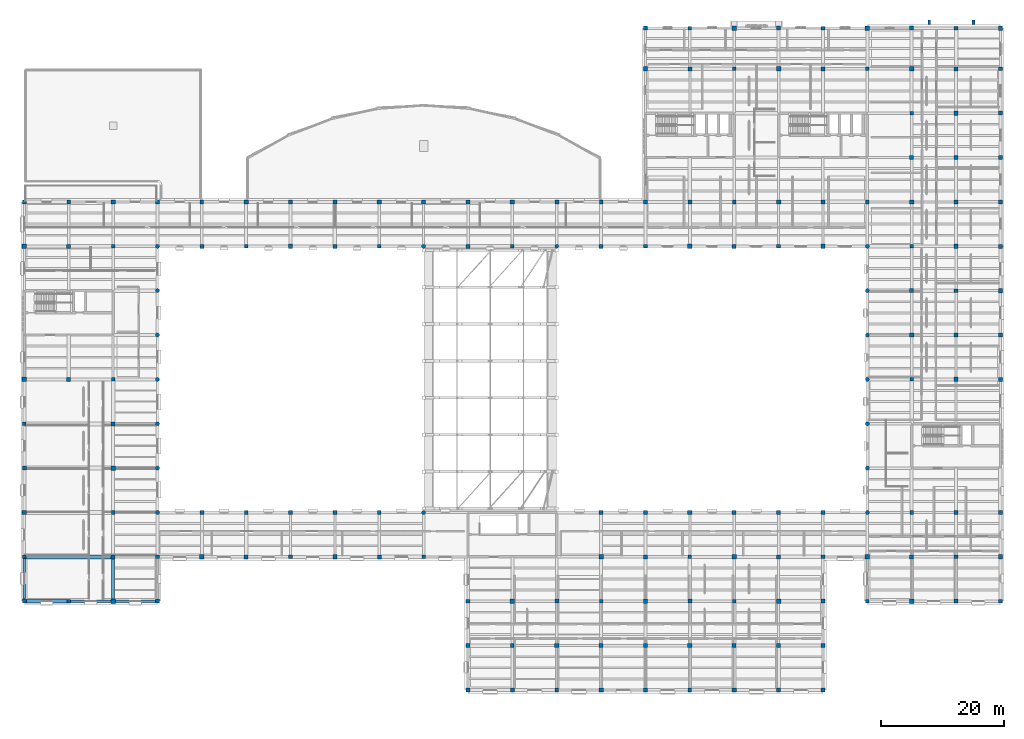
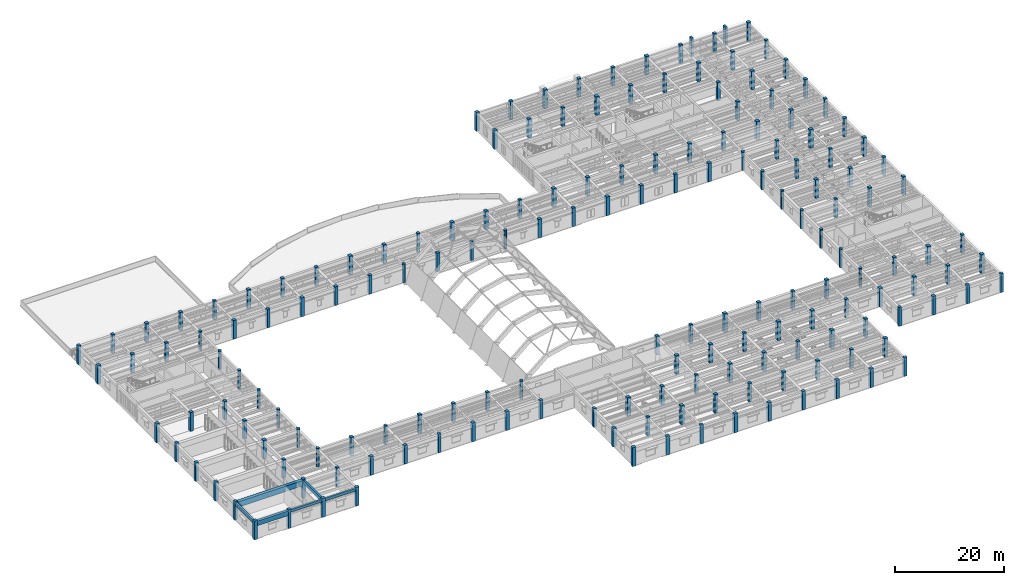
# One storey, part 1 of 66: 171 columns, 6 beams.
"""IFC4 building model written with IfcOpenShell, lengths in metres."""

from ifc_helpers import new_model, si_unit, direction, frame, origin, origin_2d, place, context, subcontext, project, spatial, rectangle, circle, extrude, material, material_profile, profile_set, type_object, element, save


model = new_model("IFC4")

# Units and contexts
model_context = context("Model", 3, precision=1e-05, world=origin(), true_north=direction((0.0, 1.0)))
body_context = subcontext(model_context, "Body", "Model", "MODEL_VIEW")
ifc_project = project(units=[si_unit("LENGTHUNIT", "METRE"), si_unit("AREAUNIT", "SQUARE_METRE"), si_unit("VOLUMEUNIT", "CUBIC_METRE"), si_unit("PLANEANGLEUNIT", "RADIAN"), si_unit("MASSUNIT", "GRAM", prefix="KILO")], contexts=[model_context])

# Site, building, storey
site_placement = place(None, origin())
site = spatial("IfcSite", under=ifc_project, at=site_placement, CompositionType="ELEMENT")
building_placement = place(site_placement, origin())
building = spatial("IfcBuilding", under=site, at=building_placement, Name="Mithqara Police Headquarters", CompositionType="ELEMENT")
storey_placement = place(building_placement, frame((0.0, 0.0, 9.60009765625)))
storey = spatial("IfcBuildingStorey", under=building, at=storey_placement, Name="L02", CompositionType="ELEMENT", Elevation=9.60009765625)

# Columns
ifc_material_1 = material(Name="Concrete C50/60", Category="concrete")
ifc_material_profile_1 = material_profile(ifc_material_1, rectangle(XDim=0.60009765625, YDim=0.60009765625, at=origin_2d()), Name="RC 600x600")
ifc_profile_set_1 = profile_set([ifc_material_profile_1], Name="Concrete C50/60")
column_type_1 = type_object("IfcColumnType", Name="COLUMN RC600", PredefinedType="COLUMN", material=ifc_profile_set_1)
for number, where, z_axis, x_axis, name in (
    (1, (7.800048828125, 28.199951171875, 0.0), (0.0, 0.0, 1.0), (1.0, 0.0, 0.0), "L02 Column 2/E"),
    (2, (7.800048828125, 49.800048828125, 0.0), (0.0, 0.0, 1.0), (1.0, 0.0, 0.0), "L02 Column 2/H"),
    (3, (15.0, 21.0, 0.0), (0.0, 0.0, 1.0), (1.0, 0.0, 0.0), "L02 Column 3/D"),
    (4, (15.0, 85.800048828125, 0.0), (0.0, 0.0, 1.0), (1.0, 0.0, 0.0), "L02 Column 3/N"),
    (5, (22.199951171875, 35.39990234375, 0.0), (0.0, 0.0, 1.0), (1.0, 0.0, 0.0), "L02 Column 4/F"),
    (6, (22.199951171875, 57.0, 0.0), (0.0, 0.0, 1.0), (1.0, 0.0, 0.0), "L02 Column 4/J"),
    (7, (22.199951171875, 78.60009765625, 0.0), (0.0, 0.0, 1.0), (1.0, 0.0, 0.0), "L02 Column 4/M"),
    (8, (29.39990234375, 28.199951171875, 0.0), (0.0, 0.0, 1.0), (1.0, 0.0, 0.0), "L02 Column 5/E"),
    (9, (36.60009765625, 85.800048828125, 0.0), (0.0, 0.0, 1.0), (1.0, 0.0, 0.0), "L02 Column 6/N"),
    (10, (43.800048828125, 35.39990234375, 0.0), (0.0, 0.0, 1.0), (1.0, 0.0, 0.0), "L02 Column 7/F"),
    (11, (43.800048828125, 78.60009765625, 0.0), (0.0, 0.0, 1.0), (1.0, 0.0, 0.0), "L02 Column 7/M"),
    (12, (51.0, 28.199951171875, 0.0), (0.0, 0.0, 1.0), (1.0, 0.0, 0.0), "L02 Column 8/E"),
    (13, (58.199951171875, 85.800048828125, 0.0), (0.0, 0.0, 1.0), (1.0, 0.0, 0.0), "L02 Column 9/N"),
    (14, (65.39990234375, 35.39990234375, 0.0), (0.0, 0.0, 1.0), (1.0, 0.0, 0.0), "L02 Column 10/F"),
    (15, (65.39990234375, 78.60009765625, 0.0), (0.0, 0.0, 1.0), (1.0, 0.0, 0.0), "L02 Column 10/M"),
    (16, (72.60009765625, 28.199951171875, 0.0), (0.0, 0.0, 1.0), (1.0, 0.0, 0.0), "L02 Column 11/E"),
    (17, (79.800048828125, 21.0, 0.0), (0.0, 0.0, 1.0), (1.0, 0.0, 0.0), "L02 Column 12/D"),
    (18, (79.800048828125, 85.800048828125, 0.0), (0.0, 0.0, 1.0), (1.0, 0.0, 0.0), "L02 Column 12/N"),
    (19, (87.0, 13.800048828125, 0.0), (0.0, 0.0, 1.0), (1.0, 0.0, 0.0), "L02 Column 13/C"),
    (20, (87.0, 78.60009765625, 0.0), (0.0, 0.0, 1.0), (1.0, 0.0, 0.0), "L02 Column 13/M"),
    (21, (94.199951171875, 6.60009765625, 0.0), (0.0, 0.0, 1.0), (1.0, 0.0, 0.0), "L02 Column 14/B"),
    (22, (101.39990234375, 21.0, 0.0), (0.0, 0.0, 1.0), (1.0, 0.0, 0.0), "L02 Column 15/D"),
    (23, (101.39990234375, 85.800048828125, 0.0), (0.0, 0.0, 1.0), (1.0, 0.0, 0.0), "L02 Column 15/N"),
    (24, (108.60009765625, 13.800048828125, 0.0), (0.0, 0.0, 1.0), (1.0, 0.0, 0.0), "L02 Column 16/C"),
    (25, (108.60009765625, 35.39990234375, 0.0), (0.0, 0.0, 1.0), (1.0, 0.0, 0.0), "L02 Column 16/F"),
    (26, (108.60009765625, 78.60009765625, 0.0), (0.0, 0.0, 1.0), (1.0, 0.0, 0.0), "L02 Column 16/M"),
    (27, (115.800048828125, 6.60009765625, 0.0), (0.0, 0.0, 1.0), (1.0, 0.0, 0.0), "L02 Column 17/B"),
    (28, (115.800048828125, 28.199951171875, 0.0), (0.0, 0.0, 1.0), (1.0, 0.0, 0.0), "L02 Column 17/E"),
    (29, (115.800048828125, 114.0, 0.0), (0.0, 0.0, 1.0), (1.0, 0.0, 0.0), "L02 Column 17/S"),
    (30, (123.0, 21.0, 0.0), (0.0, 0.0, 1.0), (1.0, 0.0, 0.0), "L02 Column 18/D"),
    (31, (123.0, 85.800048828125, 0.0), (0.0, 0.0, 1.0), (1.0, 0.0, 0.0), "L02 Column 18/N"),
    (32, (123.0, 107.39990234375, 0.0), (0.0, 0.0, 1.0), (1.0, 0.0, 0.0), "L02 Column 18/R"),
    (33, (130.199951171875, 13.800048828125, 0.0), (0.0, 0.0, 1.0), (1.0, 0.0, 0.0), "L02 Column 19/C"),
    (34, (130.199951171875, 35.39990234375, 0.0), (0.0, 0.0, 1.0), (1.0, 0.0, 0.0), "L02 Column 19/F"),
    (35, (130.199951171875, 78.60009765625, 0.0), (0.0, 0.0, 1.0), (1.0, 0.0, 0.0), "L02 Column 19/M"),
    (36, (137.39990234375, 6.60009765625, 0.0), (0.0, 0.0, 1.0), (1.0, 0.0, 0.0), "L02 Column 20/B"),
    (37, (137.39990234375, 28.199951171875, 0.0), (0.0, 0.0, 1.0), (1.0, 0.0, 0.0), "L02 Column 20/E"),
    (38, (137.39990234375, 114.0, 0.0), (0.0, 0.0, 1.0), (1.0, 0.0, 0.0), "L02 Column 20/S"),
    (39, (144.60009765625, 21.0, 0.0), (0.0, 0.0, 1.0), (1.0, 0.0, 0.0), "L02 Column 21/D"),
    (40, (144.60009765625, 85.800048828125, 0.0), (0.0, 0.0, 1.0), (1.0, 0.0, 0.0), "L02 Column 21/N"),
    (41, (144.60009765625, 107.39990234375, 0.0), (0.0, 0.0, 1.0), (1.0, 0.0, 0.0), "L02 Column 21/R"),
    (42, (151.800048828125, 35.39990234375, 0.0), (0.0, 0.0, 1.0), (1.0, 0.0, 0.0), "L02 Column 22/F"),
    (43, (151.800048828125, 57.0, 0.0), (0.0, 0.0, 1.0), (1.0, 0.0, 0.0), "L02 Column 22/J"),
    (44, (151.800048828125, 78.60009765625, 0.0), (0.0, 0.0, 1.0), (1.0, 0.0, 0.0), "L02 Column 22/M"),
    (45, (151.800048828125, 100.199951171875, 0.0), (0.0, 0.0, 1.0), (1.0, 0.0, 0.0), "L02 Column 22/Q"),
    (46, (159.0, 28.199951171875, 0.0), (0.0, 0.0, 1.0), (1.0, 0.0, 0.0), "L02 Column 23/E"),
    (47, (159.0, 71.39990234375, 0.0), (0.0, 0.0, 1.0), (1.0, 0.0, 0.0), "L02 Column 23/L"),
    (48, (159.0, 93.0, 0.0), (0.0, 0.0, 1.0), (1.0, 0.0, 0.0), "L02 Column 23/P"),
    (49, (159.0, 114.0, 0.0), (0.0, 0.0, 1.0), (1.0, 0.0, 0.0), "L02 Column 23/S"),
    (50, (166.199951171875, 21.0, 0.0), (0.0, 0.0, 1.0), (1.0, 0.0, 0.0), "L02 Column 24/D"),
    (51, (166.199951171875, 64.199951171875, 0.0), (0.0, 0.0, 1.0), (1.0, 0.0, 0.0), "L02 Column 24/K"),
    (52, (166.199951171875, 85.800048828125, 0.0), (0.0, 0.0, 1.0), (1.0, 0.0, 0.0), "L02 Column 24/N"),
    (53, (166.199951171875, 107.39990234375, 0.0), (0.0, 0.0, 1.0), (1.0, 0.0, 0.0), "L02 Column 24/R"),
):
    element("IfcColumn", number, at=place(storey_placement, frame(where, z_axis=z_axis, x_axis=x_axis)), inside=storey, type_object=column_type_1, Name=name, PredefinedType="COLUMN", context=body_context, shape_type="SweptSolid", body=[
        extrude(rectangle(XDim=0.60009765625, YDim=0.60009765625, at=origin_2d()), origin(), (0.0, 0.0, 1.0), 4.199951171875),
    ])
ifc_material_profile_2 = material_profile(ifc_material_1, rectangle(XDim=0.64990234375, YDim=0.64990234375, at=origin_2d()), Name="RC 650x650")
ifc_profile_set_2 = profile_set([ifc_material_profile_2], Name="Concrete C50/60")
column_type_2 = type_object("IfcColumnType", Name="COLUMN RC650", PredefinedType="COLUMN", material=ifc_profile_set_2)
for number, where, z_axis, x_axis, name in (
    (54, (7.800048828125, 21.0, 0.0), (0.0, 0.0, 1.0), (1.0, 0.0, 0.0), "L02 Column 2/D"),
    (55, (7.800048828125, 42.60009765625, 0.0), (0.0, 0.0, 1.0), (1.0, 0.0, 0.0), "L02 Column 2/G"),
    (56, (7.800048828125, 85.800048828125, 0.0), (0.0, 0.0, 1.0), (1.0, 0.0, 0.0), "L02 Column 2/N"),
    (57, (15.0, 57.0, 0.0), (0.0, 0.0, 1.0), (1.0, 0.0, 0.0), "L02 Column 3/J"),
    (58, (15.0, 78.60009765625, 0.0), (0.0, 0.0, 1.0), (1.0, 0.0, 0.0), "L02 Column 3/M"),
    (59, (22.199951171875, 28.199951171875, 0.0), (0.0, 0.0, 1.0), (1.0, 0.0, 0.0), "L02 Column 4/E"),
    (60, (22.199951171875, 49.800048828125, 0.0), (0.0, 0.0, 1.0), (1.0, 0.0, 0.0), "L02 Column 4/H"),
    (61, (29.39990234375, 21.0, 0.0), (0.0, 0.0, 1.0), (1.0, 0.0, 0.0), "L02 Column 5/D"),
    (62, (29.39990234375, 85.800048828125, 0.0), (0.0, 0.0, 1.0), (1.0, 0.0, 0.0), "L02 Column 5/N"),
    (63, (36.60009765625, 35.39990234375, 0.0), (0.0, 0.0, 1.0), (1.0, 0.0, 0.0), "L02 Column 6/F"),
    (64, (36.60009765625, 78.60009765625, 0.0), (0.0, 0.0, 1.0), (1.0, 0.0, 0.0), "L02 Column 6/M"),
    (65, (43.800048828125, 28.199951171875, 0.0), (0.0, 0.0, 1.0), (1.0, 0.0, 0.0), "L02 Column 7/E"),
    (66, (51.0, 85.800048828125, 0.0), (0.0, 0.0, 1.0), (1.0, 0.0, 0.0), "L02 Column 8/N"),
    (67, (58.199951171875, 35.39990234375, 0.0), (0.0, 0.0, 1.0), (1.0, 0.0, 0.0), "L02 Column 9/F"),
    (68, (58.199951171875, 78.60009765625, 0.0), (0.0, 0.0, 1.0), (1.0, 0.0, 0.0), "L02 Column 9/M"),
    (69, (65.39990234375, 28.199951171875, 0.0), (0.0, 0.0, 1.0), (1.0, 0.0, 0.0), "L02 Column 10/E"),
    (70, (72.60009765625, 85.800048828125, 0.0), (0.0, 0.0, 1.0), (1.0, 0.0, 0.0), "L02 Column 11/N"),
    (71, (79.800048828125, 13.800048828125, 0.0), (0.0, 0.0, 1.0), (1.0, 0.0, 0.0), "L02 Column 12/C"),
    (72, (79.800048828125, 78.60009765625, 0.0), (0.0, 0.0, 1.0), (1.0, 0.0, 0.0), "L02 Column 12/M"),
    (73, (87.0, 6.60009765625, 0.0), (0.0, 0.0, 1.0), (1.0, 0.0, 0.0), "L02 Column 13/B"),
    (74, (94.199951171875, 21.0, 0.0), (0.0, 0.0, 1.0), (1.0, 0.0, 0.0), "L02 Column 14/D"),
    (75, (94.199951171875, 85.800048828125, 0.0), (0.0, 0.0, 1.0), (1.0, 0.0, 0.0), "L02 Column 14/N"),
    (76, (101.39990234375, 13.800048828125, 0.0), (0.0, 0.0, 1.0), (1.0, 0.0, 0.0), "L02 Column 15/C"),
    (77, (101.39990234375, 35.39990234375, 0.0), (0.0, 0.0, 1.0), (1.0, 0.0, 0.0), "L02 Column 15/F"),
    (78, (101.39990234375, 78.60009765625, 0.0), (0.0, 0.0, 1.0), (1.0, 0.0, 0.0), "L02 Column 15/M"),
    (79, (108.60009765625, 6.60009765625, 0.0), (0.0, 0.0, 1.0), (1.0, 0.0, 0.0), "L02 Column 16/B"),
    (80, (108.60009765625, 28.199951171875, 0.0), (0.0, 0.0, 1.0), (1.0, 0.0, 0.0), "L02 Column 16/E"),
    (81, (108.60009765625, 114.0, 0.0), (0.0, 0.0, 1.0), (1.0, 0.0, 0.0), "L02 Column 16/S"),
    (82, (115.800048828125, 21.0, 0.0), (0.0, 0.0, 1.0), (1.0, 0.0, 0.0), "L02 Column 17/D"),
    (83, (115.800048828125, 85.800048828125, 0.0), (0.0, 0.0, 1.0), (1.0, 0.0, 0.0), "L02 Column 17/N"),
    (84, (115.800048828125, 107.39990234375, 0.0), (0.0, 0.0, 1.0), (1.0, 0.0, 0.0), "L02 Column 17/R"),
    (85, (123.0, 13.800048828125, 0.0), (0.0, 0.0, 1.0), (1.0, 0.0, 0.0), "L02 Column 18/C"),
    (86, (123.0, 35.39990234375, 0.0), (0.0, 0.0, 1.0), (1.0, 0.0, 0.0), "L02 Column 18/F"),
    (87, (123.0, 78.60009765625, 0.0), (0.0, 0.0, 1.0), (1.0, 0.0, 0.0), "L02 Column 18/M"),
    (88, (130.199951171875, 6.60009765625, 0.0), (0.0, 0.0, 1.0), (1.0, 0.0, 0.0), "L02 Column 19/B"),
    (89, (130.199951171875, 28.199951171875, 0.0), (0.0, 0.0, 1.0), (1.0, 0.0, 0.0), "L02 Column 19/E"),
    (90, (130.199951171875, 114.0, 0.0), (0.0, 0.0, 1.0), (1.0, 0.0, 0.0), "L02 Column 19/S"),
    (91, (137.39990234375, 21.0, 0.0), (0.0, 0.0, 1.0), (1.0, 0.0, 0.0), "L02 Column 20/D"),
    (92, (137.39990234375, 85.800048828125, 0.0), (0.0, 0.0, 1.0), (1.0, 0.0, 0.0), "L02 Column 20/N"),
    (93, (137.39990234375, 107.39990234375, 0.0), (0.0, 0.0, 1.0), (1.0, 0.0, 0.0), "L02 Column 20/R"),
    (94, (151.800048828125, 28.199951171875, 0.0), (0.0, 0.0, 1.0), (1.0, 0.0, 0.0), "L02 Column 22/E"),
    (95, (151.800048828125, 71.39990234375, 0.0), (0.0, 0.0, 1.0), (1.0, 0.0, 0.0), "L02 Column 22/L"),
    (96, (151.800048828125, 93.0, 0.0), (0.0, 0.0, 1.0), (1.0, 0.0, 0.0), "L02 Column 22/P"),
    (97, (151.800048828125, 114.0, 0.0), (0.0, 0.0, 1.0), (1.0, 0.0, 0.0), "L02 Column 22/S"),
    (98, (159.0, 21.0, 0.0), (0.0, 0.0, 1.0), (1.0, 0.0, 0.0), "L02 Column 23/D"),
    (99, (159.0, 64.199951171875, 0.0), (0.0, 0.0, 1.0), (1.0, 0.0, 0.0), "L02 Column 23/K"),
    (100, (159.0, 85.800048828125, 0.0), (0.0, 0.0, 1.0), (1.0, 0.0, 0.0), "L02 Column 23/N"),
    (101, (159.0, 107.39990234375, 0.0), (0.0, 0.0, 1.0), (1.0, 0.0, 0.0), "L02 Column 23/R"),
    (102, (166.199951171875, 35.39990234375, 0.0), (0.0, 0.0, 1.0), (1.0, 0.0, 0.0), "L02 Column 24/F"),
    (103, (166.199951171875, 57.0, 0.0), (0.0, 0.0, 1.0), (1.0, 0.0, 0.0), "L02 Column 24/J"),
    (104, (166.199951171875, 78.60009765625, 0.0), (0.0, 0.0, 1.0), (1.0, 0.0, 0.0), "L02 Column 24/M"),
    (105, (166.199951171875, 100.199951171875, 0.0), (0.0, 0.0, 1.0), (1.0, 0.0, 0.0), "L02 Column 24/Q"),
):
    element("IfcColumn", number, at=place(storey_placement, frame(where, z_axis=z_axis, x_axis=x_axis)), inside=storey, type_object=column_type_2, Name=name, PredefinedType="COLUMN", context=body_context, shape_type="SweptSolid", body=[
        extrude(rectangle(XDim=0.64990234375, YDim=0.64990234375, at=origin_2d()), origin(), (0.0, 0.0, 1.0), 4.199951171875),
    ])
ifc_material_profile_3 = material_profile(ifc_material_1, rectangle(XDim=0.699951171875, YDim=0.699951171875, at=origin_2d()), Name="RC 700x700")
ifc_profile_set_3 = profile_set([ifc_material_profile_3], Name="Concrete C50/60")
column_type_3 = type_object("IfcColumnType", Name="COLUMN RC700", PredefinedType="COLUMN", material=ifc_profile_set_3)
for number, where, z_axis, x_axis, name in (
    (106, (7.800048828125, 35.39990234375, 0.0), (0.0, 0.0, 1.0), (1.0, 0.0, 0.0), "L02 Column 2/F"),
    (107, (7.800048828125, 57.0, 0.0), (0.0, 0.0, 1.0), (1.0, 0.0, 0.0), "L02 Column 2/J"),
    (108, (7.800048828125, 78.60009765625, 0.0), (0.0, 0.0, 1.0), (1.0, 0.0, 0.0), "L02 Column 2/M"),
    (109, (22.199951171875, 21.0, 0.0), (0.0, 0.0, 1.0), (1.0, 0.0, 0.0), "L02 Column 4/D"),
    (110, (22.199951171875, 42.60009765625, 0.0), (0.0, 0.0, 1.0), (1.0, 0.0, 0.0), "L02 Column 4/G"),
    (111, (22.199951171875, 85.800048828125, 0.0), (0.0, 0.0, 1.0), (1.0, 0.0, 0.0), "L02 Column 4/N"),
    (112, (36.60009765625, 28.199951171875, 0.0), (0.0, 0.0, 1.0), (1.0, 0.0, 0.0), "L02 Column 6/E"),
    (113, (43.800048828125, 85.800048828125, 0.0), (0.0, 0.0, 1.0), (1.0, 0.0, 0.0), "L02 Column 7/N"),
    (114, (51.0, 35.39990234375, 0.0), (0.0, 0.0, 1.0), (1.0, 0.0, 0.0), "L02 Column 8/F"),
    (115, (51.0, 78.60009765625, 0.0), (0.0, 0.0, 1.0), (1.0, 0.0, 0.0), "L02 Column 8/M"),
    (116, (58.199951171875, 28.199951171875, 0.0), (0.0, 0.0, 1.0), (1.0, 0.0, 0.0), "L02 Column 9/E"),
    (117, (65.39990234375, 85.800048828125, 0.0), (0.0, 0.0, 1.0), (1.0, 0.0, 0.0), "L02 Column 10/N"),
    (118, (79.800048828125, 6.60009765625, 0.0), (0.0, 0.0, 1.0), (1.0, 0.0, 0.0), "L02 Column 12/B"),
    (119, (87.0, 21.0, 0.0), (0.0, 0.0, 1.0), (1.0, 0.0, 0.0), "L02 Column 13/D"),
    (120, (87.0, 85.800048828125, 0.0), (0.0, 0.0, 1.0), (1.0, 0.0, 0.0), "L02 Column 13/N"),
    (121, (94.199951171875, 13.800048828125, 0.0), (0.0, 0.0, 1.0), (1.0, 0.0, 0.0), "L02 Column 14/C"),
    (122, (101.39990234375, 6.60009765625, 0.0), (0.0, 0.0, 1.0), (1.0, 0.0, 0.0), "L02 Column 15/B"),
    (123, (101.39990234375, 28.199951171875, 0.0), (0.0, 0.0, 1.0), (1.0, 0.0, 0.0), "L02 Column 15/E"),
    (124, (108.60009765625, 21.0, 0.0), (0.0, 0.0, 1.0), (1.0, 0.0, 0.0), "L02 Column 16/D"),
    (125, (108.60009765625, 85.800048828125, 0.0), (0.0, 0.0, 1.0), (1.0, 0.0, 0.0), "L02 Column 16/N"),
    (126, (108.60009765625, 107.39990234375, 0.0), (0.0, 0.0, 1.0), (1.0, 0.0, 0.0), "L02 Column 16/R"),
    (127, (115.800048828125, 13.800048828125, 0.0), (0.0, 0.0, 1.0), (1.0, 0.0, 0.0), "L02 Column 17/C"),
    (128, (115.800048828125, 35.39990234375, 0.0), (0.0, 0.0, 1.0), (1.0, 0.0, 0.0), "L02 Column 17/F"),
    (129, (115.800048828125, 78.60009765625, 0.0), (0.0, 0.0, 1.0), (1.0, 0.0, 0.0), "L02 Column 17/M"),
    (130, (123.0, 6.60009765625, 0.0), (0.0, 0.0, 1.0), (1.0, 0.0, 0.0), "L02 Column 18/B"),
    (131, (123.0, 28.199951171875, 0.0), (0.0, 0.0, 1.0), (1.0, 0.0, 0.0), "L02 Column 18/E"),
    (132, (123.0, 114.0, 0.0), (0.0, 0.0, 1.0), (1.0, 0.0, 0.0), "L02 Column 18/S"),
    (133, (130.199951171875, 21.0, 0.0), (0.0, 0.0, 1.0), (1.0, 0.0, 0.0), "L02 Column 19/D"),
    (134, (130.199951171875, 85.800048828125, 0.0), (0.0, 0.0, 1.0), (1.0, 0.0, 0.0), "L02 Column 19/N"),
    (135, (130.199951171875, 107.39990234375, 0.0), (0.0, 0.0, 1.0), (1.0, 0.0, 0.0), "L02 Column 19/R"),
    (136, (137.39990234375, 13.800048828125, 0.0), (0.0, 0.0, 1.0), (1.0, 0.0, 0.0), "L02 Column 20/C"),
    (137, (137.39990234375, 35.39990234375, 0.0), (0.0, 0.0, 1.0), (1.0, 0.0, 0.0), "L02 Column 20/F"),
    (138, (137.39990234375, 78.60009765625, 0.0), (0.0, 0.0, 1.0), (1.0, 0.0, 0.0), "L02 Column 20/M"),
    (139, (144.60009765625, 28.199951171875, 0.0), (0.0, 0.0, 1.0), (1.0, 0.0, 0.0), "L02 Column 21/E"),
    (140, (144.60009765625, 114.0, 0.0), (0.0, 0.0, 1.0), (1.0, 0.0, 0.0), "L02 Column 21/S"),
    (141, (151.800048828125, 21.0, 0.0), (0.0, 0.0, 1.0), (1.0, 0.0, 0.0), "L02 Column 22/D"),
    (142, (151.800048828125, 64.199951171875, 0.0), (0.0, 0.0, 1.0), (1.0, 0.0, 0.0), "L02 Column 22/K"),
    (143, (151.800048828125, 85.800048828125, 0.0), (0.0, 0.0, 1.0), (1.0, 0.0, 0.0), "L02 Column 22/N"),
    (144, (151.800048828125, 107.39990234375, 0.0), (0.0, 0.0, 1.0), (1.0, 0.0, 0.0), "L02 Column 22/R"),
    (145, (159.0, 35.39990234375, 0.0), (0.0, 0.0, 1.0), (1.0, 0.0, 0.0), "L02 Column 23/F"),
    (146, (159.0, 57.0, 0.0), (0.0, 0.0, 1.0), (1.0, 0.0, 0.0), "L02 Column 23/J"),
    (147, (159.0, 78.60009765625, 0.0), (0.0, 0.0, 1.0), (1.0, 0.0, 0.0), "L02 Column 23/M"),
    (148, (159.0, 100.199951171875, 0.0), (0.0, 0.0, 1.0), (1.0, 0.0, 0.0), "L02 Column 23/Q"),
    (149, (166.199951171875, 28.199951171875, 0.0), (0.0, 0.0, 1.0), (1.0, 0.0, 0.0), "L02 Column 24/E"),
    (150, (166.199951171875, 71.39990234375, 0.0), (0.0, 0.0, 1.0), (1.0, 0.0, 0.0), "L02 Column 24/L"),
    (151, (166.199951171875, 93.0, 0.0), (0.0, 0.0, 1.0), (1.0, 0.0, 0.0), "L02 Column 24/P"),
    (152, (166.199951171875, 114.0, 0.0), (0.0, 0.0, 1.0), (1.0, 0.0, 0.0), "L02 Column 24/S"),
):
    element("IfcColumn", number, at=place(storey_placement, frame(where, z_axis=z_axis, x_axis=x_axis)), inside=storey, type_object=column_type_3, Name=name, PredefinedType="COLUMN", context=body_context, shape_type="SweptSolid", body=[
        extrude(rectangle(XDim=0.699951171875, YDim=0.699951171875, at=origin_2d()), origin(), (0.0, 0.0, 1.0), 4.199951171875),
    ])
ifc_material_profile_4 = material_profile(ifc_material_1, circle(Radius=0.324951171875, at=origin_2d()), Name="RCD 650")
ifc_profile_set_4 = profile_set([ifc_material_profile_4], Name="Concrete C50/60")
column_type_4 = type_object("IfcColumnType", Name="COLUMN RCD650", PredefinedType="COLUMN", material=ifc_profile_set_4)
for number, where, z_axis, x_axis, name in (
    (153, (29.39990234375, 35.39990234375, 0.0), (0.0, 0.0, 1.0), (1.0, 0.0, 0.0), "L02 Column 5/F"),
    (154, (29.39990234375, 42.60009765625, 0.0), (0.0, 0.0, 1.0), (1.0, 0.0, 0.0), "L02 Column 5/G"),
    (155, (29.39990234375, 49.800048828125, 0.0), (0.0, 0.0, 1.0), (1.0, 0.0, 0.0), "L02 Column 5/H"),
    (156, (29.39990234375, 57.0, 0.0), (0.0, 0.0, 1.0), (1.0, 0.0, 0.0), "L02 Column 5/J"),
    (157, (29.39990234375, 64.199951171875, 0.0), (0.0, 0.0, 1.0), (1.0, 0.0, 0.0), "L02 Column 5/K"),
    (158, (29.39990234375, 71.39990234375, 0.0), (0.0, 0.0, 1.0), (1.0, 0.0, 0.0), "L02 Column 5/L"),
    (159, (29.39990234375, 78.60009765625, 0.0), (0.0, 0.0, 1.0), (1.0, 0.0, 0.0), "L02 Column 5/M"),
    (160, (72.60009765625, 35.39990234375, 0.0), (0.0, 0.0, 1.0), (1.0, 0.0, 0.0), "L02 Column 11/F"),
    (161, (72.60009765625, 78.60009765625, 0.0), (0.0, 0.0, 1.0), (1.0, 0.0, 0.0), "L02 Column 11/M"),
    (162, (94.199951171875, 78.60009765625, 0.0), (0.0, 0.0, 1.0), (1.0, 0.0, 0.0), "L02 Column 14/M"),
    (163, (144.60009765625, 35.39990234375, 0.0), (0.0, 0.0, 1.0), (1.0, 0.0, 0.0), "L02 Column 21/F"),
    (164, (144.60009765625, 42.60009765625, 0.0), (0.0, 0.0, 1.0), (1.0, 0.0, 0.0), "L02 Column 21/G"),
    (165, (144.60009765625, 49.800048828125, 0.0), (0.0, 0.0, 1.0), (1.0, 0.0, 0.0), "L02 Column 21/H"),
    (166, (144.60009765625, 57.0, 0.0), (0.0, 0.0, 1.0), (1.0, 0.0, 0.0), "L02 Column 21/J"),
    (167, (144.60009765625, 64.199951171875, 0.0), (0.0, 0.0, 1.0), (1.0, 0.0, 0.0), "L02 Column 21/K"),
    (168, (144.60009765625, 71.39990234375, 0.0), (0.0, 0.0, 1.0), (1.0, 0.0, 0.0), "L02 Column 21/L"),
    (169, (144.60009765625, 78.60009765625, 0.0), (0.0, 0.0, 1.0), (1.0, 0.0, 0.0), "L02 Column 21/M"),
):
    element("IfcColumn", number, at=place(storey_placement, frame(where, z_axis=z_axis, x_axis=x_axis)), inside=storey, type_object=column_type_4, Name=name, PredefinedType="COLUMN", context=body_context, shape_type="SweptSolid", body=[
        extrude(circle(Radius=0.324951171875, at=origin_2d()), origin(), (0.0, 0.0, 1.0), 4.199951171875),
    ])
ifc_material_profile_5 = material_profile(ifc_material_1, rectangle(XDim=0.449951171875, YDim=0.75, at=origin_2d()), Name="PIL 450x750")
ifc_profile_set_5 = profile_set([ifc_material_profile_5], Name="Concrete C50/60")
column_type_5 = type_object("IfcColumnType", Name="PILASTER 450X750", PredefinedType="PILASTER", material=ifc_profile_set_5)
for number, where, z_axis, x_axis, name in (
    (170, (154.64990234375, 114.949951171875, 0.0), (0.0, 0.0, 1.0), (1.0, 0.0, 0.0), "L02 North Avenue Pilaster 1"),
    (171, (161.85009765625, 114.949951171875, 0.0), (0.0, 0.0, 1.0), (1.0, 0.0, 0.0), "L02 North Avenue Pilaster 2"),
):
    element("IfcColumn", number, at=place(storey_placement, frame(where, z_axis=z_axis, x_axis=x_axis)), inside=storey, type_object=column_type_5, Name=name, PredefinedType="PILASTER", context=body_context, shape_type="SweptSolid", body=[
        extrude(rectangle(XDim=0.449951171875, YDim=0.75, at=origin_2d()), origin(), (0.0, 0.0, 1.0), 4.199951171875),
    ])

# Beams
ifc_material_2 = material(Name="Concrete C40/50", Category="concrete")
ifc_material_profile_6 = material_profile(ifc_material_2, rectangle(XDim=0.35009765625, YDim=0.550048828125, at=origin_2d()), Name="RC 350x550")
ifc_profile_set_6 = profile_set([ifc_material_profile_6], Name="Concrete C40/50")
beam_type_1 = type_object("IfcBeamType", Name="BEAM RC350X550", PredefinedType="BEAM", material=ifc_profile_set_6)
beam_1_placement = place(storey_placement, frame((15.0, 21.0, 3.664794921875), z_axis=(1.0, 0.0, 0.0), x_axis=(0.0, 1.0, 0.0)))
element("IfcBeam", 172, at=beam_1_placement, inside=storey, type_object=beam_type_1, Name="L02 Girder 3-4/D", PredefinedType="BEAM", context=body_context, shape_type="SweptSolid", body=[
    extrude(rectangle(XDim=0.35009765625, YDim=0.550048828125, at=origin_2d()), origin(), (0.0, 0.0, 1.0), 7.199951171875),
])
ifc_material_profile_7 = material_profile(ifc_material_2, rectangle(XDim=0.35009765625, YDim=0.60009765625, at=origin_2d()), Name="RC 350x600")
ifc_profile_set_7 = profile_set([ifc_material_profile_7], Name="Concrete C40/50")
beam_type_2 = type_object("IfcBeamType", Name="BEAM RC350X600", PredefinedType="BEAM", material=ifc_profile_set_7)
beam_2_placement = place(storey_placement, frame((22.199951171875, 21.0, 3.639892578125), z_axis=(1.0, 0.0, 0.0), x_axis=(0.0, 1.0, 0.0)))
element("IfcBeam", 173, at=beam_2_placement, inside=storey, type_object=beam_type_2, Name="L02 Girder 4-5/D", PredefinedType="BEAM", context=body_context, shape_type="SweptSolid", body=[
    extrude(rectangle(XDim=0.35009765625, YDim=0.60009765625, at=origin_2d()), origin(), (0.0, 0.0, 1.0), 7.199951171875),
])
ifc_material_profile_8 = material_profile(ifc_material_2, rectangle(XDim=0.39990234375, YDim=0.64990234375, at=origin_2d()), Name="RC 400x650")
ifc_profile_set_8 = profile_set([ifc_material_profile_8], Name="Concrete C40/50")
beam_type_3 = type_object("IfcBeamType", Name="BEAM RC400X650", PredefinedType="BEAM", material=ifc_profile_set_8)
beam_3_placement = place(storey_placement, frame((7.800048828125, 21.0, 3.614990234375), z_axis=(0.0, 1.0, 0.0), x_axis=(-1.0, 0.0, 0.0)))
element("IfcBeam", 174, at=beam_3_placement, inside=storey, type_object=beam_type_3, Name="L02 Girder 2/D-E", PredefinedType="BEAM", context=body_context, shape_type="SweptSolid", body=[
    extrude(rectangle(XDim=0.39990234375, YDim=0.64990234375, at=origin_2d()), origin(), (0.0, 0.0, 1.0), 7.199951171875),
])
ifc_material_profile_9 = material_profile(ifc_material_2, rectangle(XDim=0.449951171875, YDim=0.699951171875, at=origin_2d()), Name="RC 450x700")
ifc_profile_set_9 = profile_set([ifc_material_profile_9], Name="Concrete C40/50")
beam_type_4 = type_object("IfcBeamType", Name="BEAM RC450X700", PredefinedType="BEAM", material=ifc_profile_set_9)
beam_4_placement = place(storey_placement, frame((22.199951171875, 21.0, 3.58984375), z_axis=(0.0, 1.0, 0.0), x_axis=(-1.0, 0.0, 0.0)))
element("IfcBeam", 175, at=beam_4_placement, inside=storey, type_object=beam_type_4, Name="L02 Girder 4/D-E", PredefinedType="BEAM", context=body_context, shape_type="SweptSolid", body=[
    extrude(rectangle(XDim=0.449951171875, YDim=0.699951171875, at=origin_2d()), origin(), (0.0, 0.0, 1.0), 7.199951171875),
])
ifc_material_profile_10 = material_profile(ifc_material_1, rectangle(XDim=0.550048828125, YDim=1.0, at=origin_2d()), Name="RC 550x1000")
ifc_profile_set_10 = profile_set([ifc_material_profile_10], Name="Concrete C50/60")
beam_type_5 = type_object("IfcBeamType", Name="BEAM RC550X1000", PredefinedType="BEAM", material=ifc_profile_set_10)
beam_5_placement = place(storey_placement, frame((7.800048828125, 21.0, 3.43994140625), z_axis=(1.0, 0.0, 0.0), x_axis=(0.0, 1.0, 0.0)))
element("IfcBeam", 176, at=beam_5_placement, inside=storey, type_object=beam_type_5, Name="L02 Girder 2-3/D", PredefinedType="BEAM", context=body_context, shape_type="SweptSolid", body=[
    extrude(rectangle(XDim=0.550048828125, YDim=1.0, at=origin_2d()), origin(), (0.0, 0.0, 1.0), 7.199951171875),
])
ifc_material_profile_11 = material_profile(ifc_material_1, rectangle(XDim=0.64990234375, YDim=1.199951171875, at=origin_2d()), Name="RC 650x1200")
ifc_profile_set_11 = profile_set([ifc_material_profile_11], Name="Concrete C50/60")
beam_type_6 = type_object("IfcBeamType", Name="TRANSFER RC650X1200", PredefinedType="BEAM", material=ifc_profile_set_11)
beam_6_placement = place(storey_placement, frame((7.800048828125, 28.199951171875, 3.33984375), z_axis=(1.0, 0.0, 0.0), x_axis=(0.0, 1.0, 0.0)))
element("IfcBeam", 177, at=beam_6_placement, inside=storey, type_object=beam_type_6, Name="L02 Girder 2-4/E", PredefinedType="BEAM", context=body_context, shape_type="SweptSolid", body=[
    extrude(rectangle(XDim=0.64990234375, YDim=1.199951171875, at=origin_2d()), origin(), (0.0, 0.0, 1.0), 14.39990234375),
])

save(model, "model.ifc")
